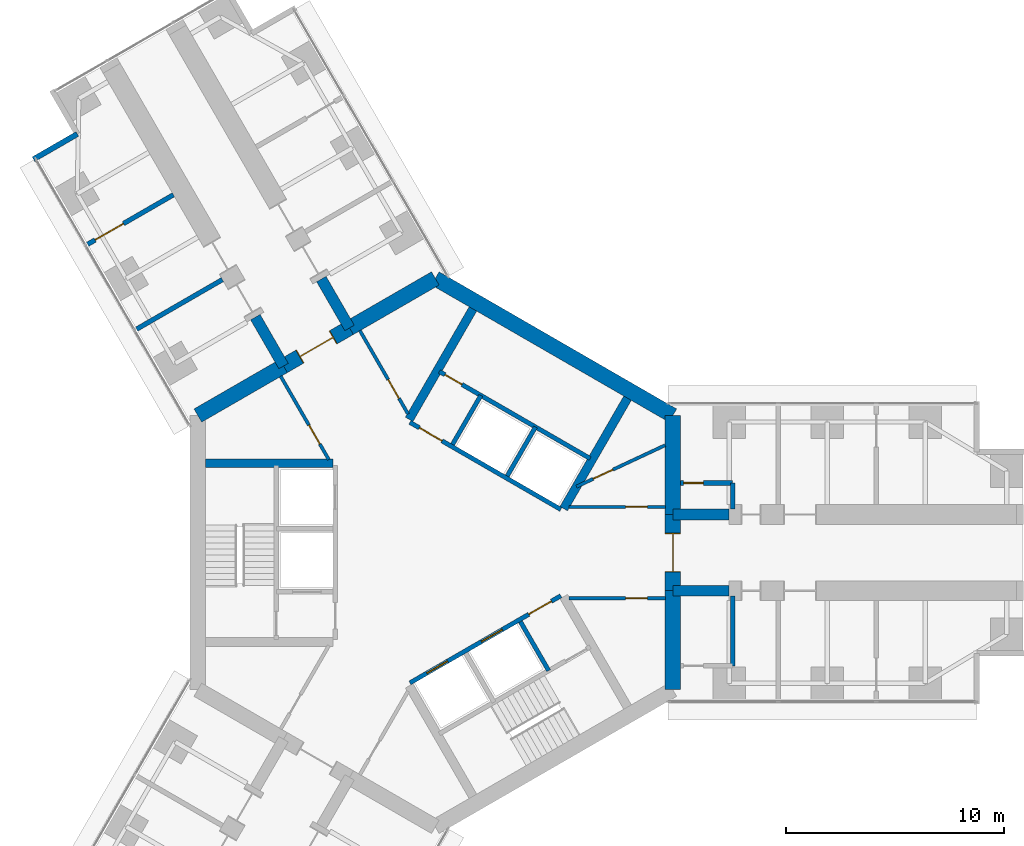
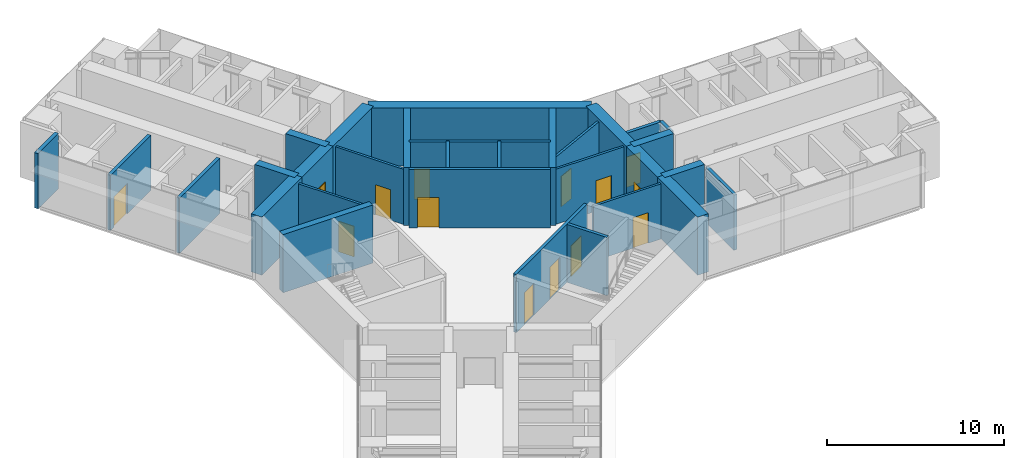
# One storey, part 17 of 22: 31 walls, 14 doors, 14 openings.
"""IFC4 building model written with IfcOpenShell, lengths in metres."""

from ifc_helpers import new_model, si_unit, direction, frame, frame_2d, origin, place, context, subcontext, project, spatial, rectangle, extrude, material, layer, layer_set, type_object, element, fill, save


model = new_model("IFC4")

# Units and contexts
model_context = context("Model", 3, precision=1e-05, world=origin(), true_north=direction((0.0, 1.0)))
body_context = subcontext(model_context, "Body", "Model", "MODEL_VIEW")
ifc_project = project(units=[si_unit("LENGTHUNIT", "METRE"), si_unit("AREAUNIT", "SQUARE_METRE"), si_unit("VOLUMEUNIT", "CUBIC_METRE"), si_unit("PLANEANGLEUNIT", "RADIAN"), si_unit("MASSUNIT", "GRAM", prefix="KILO")], contexts=[model_context])

# Site, building, storey
site_placement = place(None, origin())
site = spatial("IfcSite", under=ifc_project, at=site_placement, CompositionType="ELEMENT")
building_placement = place(site_placement, origin())
building = spatial("IfcBuilding", under=site, at=building_placement, Name="Upepo Twin Towers", CompositionType="ELEMENT")
storey_placement = place(building_placement, frame((0.0, 0.0, 36.5)))
storey = spatial("IfcBuildingStorey", under=building, at=storey_placement, Name="L08", CompositionType="ELEMENT", Elevation=36.5)

# Wall, opening, door
ifc_material_1 = material(Name="Concrete blockwork, plastered both faces", Category="masonry")
ifc_layer_1 = layer(ifc_material_1, 0.215087890625)
ifc_layer_set_1 = layer_set([ifc_layer_1], Name="Blockwork partition 215")
wall_type_1 = type_object("IfcWallType", Name="Blockwork partition 215", PredefinedType="PARTITIONING", material=ifc_layer_set_1)
wall_1_placement = place(storey_placement, frame((11.258056640625, 3.199951171875, 0.0), z_axis=(0.0, 0.0, 1.0), x_axis=(1.0, 0.0, 0.0)))
wall_1 = element("IfcWall", 1, at=wall_1_placement, inside=storey, type_object=wall_type_1, Name="T1 WC bay partition AL at 11.26", PredefinedType="PARTITIONING", context=body_context, shape_type="SweptSolid", body=[
    extrude(rectangle(XDim=2.39990234375, YDim=0.215087890625, at=frame_2d((1.199951171875, 0.0))), origin(), (0.0, 0.0, 1.0), 3.800048828125),
])
opening_1_placement = place(wall_1_placement, frame((0.14990234375, 0.0, 0.0)))
opening_1 = element("IfcOpeningElement", 2, at=opening_1_placement, cuts=wall_1, Name="Opening D14", PredefinedType="OPENING", context=body_context, shape_type="SweptSolid", body=[
    extrude(rectangle(XDim=0.89990234375, YDim=2.10009765625, at=frame_2d((0.449951171875, 1.050048828125))), frame((0.0, 0.117431640625, 0.0), z_axis=(0.0, -1.0, 0.0), x_axis=(1.0, 0.0, 0.0)), (0.0, 0.0, 1.0), 0.235107421875),
])
ifc_material_2 = material(Name="Timber doorset", Category="wood")
door_type_1 = type_object("IfcDoorType", Name="Office door 900 FD30", OperationType="SINGLE_SWING_LEFT", PredefinedType="DOOR", material=ifc_material_2)
door_1_placement = place(opening_1_placement, origin())
door_1 = element("IfcDoor", 3, at=door_1_placement, inside=storey, type_object=door_type_1, Name="T1 L08 WC bay inner room door", OperationType="SINGLE_SWING_LEFT", OverallHeight=2.10009765625, OverallWidth=0.89990234375, PredefinedType="DOOR", context=body_context, shape_type="SweptSolid", body=[
    extrude(rectangle(XDim=0.89990234375, YDim=2.10009765625, at=frame_2d((0.449951171875, 1.050048828125))), frame((0.0, 0.02490234375, 0.0), z_axis=(0.0, -1.0, 0.0), x_axis=(1.0, 0.0, 0.0)), (0.0, 0.0, 1.0), 0.050048828125),
])
fill(opening_1, door_1)

# Walls
wall_2_placement = place(storey_placement, frame((13.657958984375, 2.0, 0.0), z_axis=(0.0, 0.0, 1.0), x_axis=(0.0, 1.0, 0.0)))
element("IfcWall", 4, at=wall_2_placement, inside=storey, type_object=wall_type_1, Name="T1 WC bay partition AL end at 13.66", PredefinedType="PARTITIONING", context=body_context, shape_type="SweptSolid", body=[
    extrude(rectangle(XDim=1.199951171875, YDim=0.215087890625, at=frame_2d((0.60009765625, 0.0))), origin(), (0.0, 0.0, 1.0), 3.800048828125),
])
wall_3_placement = place(storey_placement, frame((13.657958984375, -2.0, 0.0), z_axis=(0.0, 0.0, 1.0), x_axis=(0.0, -1.0, 0.0)))
element("IfcWall", 5, at=wall_3_placement, inside=storey, type_object=wall_type_1, Name="T1 WC bay partition AR end at 13.66", PredefinedType="PARTITIONING", context=body_context, shape_type="SweptSolid", body=[
    extrude(rectangle(XDim=3.199951171875, YDim=0.215087890625, at=frame_2d((1.60009765625, 0.0))), origin(), (0.0, 0.0, 1.0), 3.800048828125),
])
wall_4_placement = place(storey_placement, frame((-9.7802734375, 12.539794921875, 0.0), z_axis=(0.0, 0.0, 1.0), x_axis=(-0.866035472144, -0.499982560684, 0.0)))
element("IfcWall", 6, at=wall_4_placement, inside=storey, type_object=wall_type_1, Name="T1 partition BL at 15.75", PredefinedType="PARTITIONING", context=body_context, shape_type="SweptSolid", body=[
    extrude(rectangle(XDim=4.550048828125, YDim=0.215087890625, at=frame_2d((2.27490234375, 0.0))), origin(), (0.0, 0.0, 1.0), 3.800048828125),
])

# Wall, opening, door
wall_5_placement = place(storey_placement, frame((-12.0302734375, 16.43701171875, 0.0), z_axis=(0.0, 0.0, 1.0), x_axis=(-0.866035472144, -0.499982560684, 0.0)))
wall_5 = element("IfcWall", 7, at=wall_5_placement, inside=storey, type_object=wall_type_1, Name="T1 partition BL at 20.25", PredefinedType="PARTITIONING", context=body_context, shape_type="SweptSolid", body=[
    extrude(rectangle(XDim=4.550048828125, YDim=0.215087890625, at=frame_2d((2.27490234375, 0.0))), origin(), (0.0, 0.0, 1.0), 3.800048828125),
])
opening_2_placement = place(wall_5_placement, frame((2.64990234375, 0.0, 0.0)))
opening_2 = element("IfcOpeningElement", 8, at=opening_2_placement, cuts=wall_5, Name="Opening D13", PredefinedType="OPENING", context=body_context, shape_type="SweptSolid", body=[
    extrude(rectangle(XDim=1.5, YDim=2.10009765625, at=frame_2d((0.75, 1.050048828125))), frame((0.0, 0.117431640625, 0.0), z_axis=(0.0, -1.0, 0.0), x_axis=(1.0, 0.0, 0.0)), (0.0, 0.0, 1.0), 0.235107421875),
])
ifc_material_3 = material(Name="Timber doorset", Category="wood")
door_type_2 = type_object("IfcDoorType", Name="Double door 1500 FD30", OperationType="DOUBLE_DOOR_SINGLE_SWING", PredefinedType="DOOR", material=ifc_material_3)
door_2_placement = place(opening_2_placement, origin())
door_2 = element("IfcDoor", 9, at=door_2_placement, inside=storey, type_object=door_type_2, Name="T1 L08 connecting door", OperationType="DOUBLE_DOOR_SINGLE_SWING", OverallHeight=2.10009765625, OverallWidth=1.5, PredefinedType="DOOR", context=body_context, shape_type="SweptSolid", body=[
    extrude(rectangle(XDim=1.5, YDim=2.10009765625, at=frame_2d((0.75, 1.050048828125))), frame((0.0, 0.02490234375, 0.0), z_axis=(0.0, -1.0, 0.0), x_axis=(1.0, 0.0, 0.0)), (0.0, 0.0, 1.0), 0.050048828125),
])
fill(opening_2, door_2)

# Walls
ifc_material_4 = material(Name="Concrete C60/75", Category="concrete")
ifc_layer_2 = layer(ifc_material_4, 0.5)
ifc_layer_set_2 = layer_set([ifc_layer_2], Name="Concrete C60/75")
wall_type_2 = type_object("IfcWallType", Name="Buttress wall 500 RC", PredefinedType="SHEAR", material=ifc_layer_set_2)
for number, where, z_axis, x_axis, name in (
    (10, (10.908447265625, 1.75, 0.0), (0.0, 0.0, 1.0), (1.0, 0.0, 0.0), "T1 wing A buttress wall L"),
    (11, (10.908447265625, -1.75, 0.0), (0.0, 0.0, 1.0), (1.0, 0.0, 0.0), "T1 wing A buttress wall R"),
):
    element("IfcWall", number, at=place(storey_placement, frame(where, z_axis=z_axis, x_axis=x_axis)), inside=storey, type_object=wall_type_2, Name=name, PredefinedType="SHEAR", context=body_context, shape_type="SweptSolid", body=[
        extrude(rectangle(XDim=2.591552734375, YDim=0.5, at=frame_2d((1.2958984375, 0.0))), origin(), (0.0, 0.0, 1.0), 4.0),
    ])
for number, where, z_axis, x_axis, name in (
    (12, (-6.9697265625, 8.57177734375, 0.0), (0.0, 0.0, 1.0), (-0.499988811324, 0.866031863473, 0.0), "T1 wing B buttress wall L"),
    (13, (-3.938720703125, 10.32177734375, 0.0), (0.0, 0.0, 1.0), (-0.499918158782, 0.866072649678, 0.0), "T1 wing B buttress wall R"),
):
    element("IfcWall", number, at=place(storey_placement, frame(where, z_axis=z_axis, x_axis=x_axis)), inside=storey, type_object=wall_type_2, Name=name, PredefinedType="SHEAR", context=body_context, shape_type="SweptSolid", body=[
        extrude(rectangle(XDim=2.591796875, YDim=0.5, at=frame_2d((1.2958984375, 0.0))), origin(), (0.0, 0.0, 1.0), 4.0),
    ])
ifc_material_5 = material(Name="Concrete C60/75", Category="concrete")
ifc_layer_3 = layer(ifc_material_5, 0.699951171875)
ifc_layer_set_3 = layer_set([ifc_layer_3], Name="Concrete C60/75")
wall_type_3 = type_object("IfcWallType", Name="Core wall 700 RC", PredefinedType="SHEAR", material=ifc_layer_set_3)
wall_6_placement = place(storey_placement, frame((10.908447265625, -6.2978515625, 0.0), z_axis=(0.0, 0.0, 1.0), x_axis=(0.0, 1.0, 0.0)))
element("IfcWall", 14, at=wall_6_placement, inside=storey, type_object=wall_type_3, Name="T1 core wall 000 R", PredefinedType="SHEAR", context=body_context, shape_type="SweptSolid", body=[
    extrude(rectangle(XDim=4.5478515625, YDim=0.699951171875, at=frame_2d((2.27392578125, 0.0))), origin(), (0.0, 0.0, 1.0), 4.0),
])

# Wall, opening, door
wall_7_placement = place(storey_placement, frame((10.908447265625, -1.75, 0.0), z_axis=(0.0, 0.0, 1.0), x_axis=(0.0, 1.0, 0.0)))
wall_7 = element("IfcWall", 15, at=wall_7_placement, inside=storey, type_object=wall_type_3, Name="T1 core wall 000", PredefinedType="SHEAR", context=body_context, shape_type="SweptSolid", body=[
    extrude(rectangle(XDim=3.5, YDim=0.699951171875, at=frame_2d((1.75, 0.0))), origin(), (0.0, 0.0, 1.0), 4.0),
])
opening_3_placement = place(wall_7_placement, frame((0.85009765625, 0.0, 0.0)))
opening_3 = element("IfcOpeningElement", 16, at=opening_3_placement, cuts=wall_7, Name="Opening D2", PredefinedType="OPENING", context=body_context, shape_type="SweptSolid", body=[
    extrude(rectangle(XDim=1.800048828125, YDim=2.10009765625, at=frame_2d((0.89990234375, 1.050048828125))), frame((0.0, 0.35986328125, 0.0), z_axis=(0.0, -1.0, 0.0), x_axis=(1.0, 0.0, 0.0)), (0.0, 0.0, 1.0), 0.719970703125),
])
ifc_material_6 = material(Name="Timber doorset", Category="wood")
door_type_3 = type_object("IfcDoorType", Name="Corridor double door 1800 FD60", OperationType="DOUBLE_DOOR_DOUBLE_SWING", PredefinedType="DOOR", material=ifc_material_6)
door_3_placement = place(opening_3_placement, origin())
door_3 = element("IfcDoor", 17, at=door_3_placement, inside=storey, type_object=door_type_3, Name="T1 L08 wing A corridor door", OperationType="DOUBLE_DOOR_DOUBLE_SWING", OverallHeight=2.10009765625, OverallWidth=1.800048828125, PredefinedType="DOOR", context=body_context, shape_type="SweptSolid", body=[
    extrude(rectangle(XDim=1.720048828125, YDim=2.06009765625, at=frame_2d((0.89990234375, 1.030029296875))), frame((0.0, 0.02490234375, 0.0), z_axis=(0.0, -1.0, 0.0), x_axis=(1.0, 0.0, 0.0)), (0.0, 0.0, 1.0), 0.050048828125),
    extrude(rectangle(XDim=0.04, YDim=2.10009765625, at=frame_2d((0.02001953125, 1.050048828125))), frame((0.0, 0.349609375, 0.0), z_axis=(0.0, -1.0, 0.0), x_axis=(1.0, 0.0, 0.0)), (0.0, 0.0, 1.0), 0.699462890625),
    extrude(rectangle(XDim=0.04, YDim=2.10009765625, at=frame_2d((1.780029296875, 1.050048828125))), frame((0.0, 0.349609375, 0.0), z_axis=(0.0, -1.0, 0.0), x_axis=(1.0, 0.0, 0.0)), (0.0, 0.0, 1.0), 0.699462890625),
    extrude(rectangle(XDim=1.720048828125, YDim=0.04, at=frame_2d((0.89990234375, 2.080078125))), frame((0.0, 0.349609375, 0.0), z_axis=(0.0, -1.0, 0.0), x_axis=(1.0, 0.0, 0.0)), (0.0, 0.0, 1.0), 0.699462890625),
])
fill(opening_3, door_3)

# Walls
wall_8_placement = place(storey_placement, frame((10.908447265625, 1.75, 0.0), z_axis=(0.0, 0.0, 1.0), x_axis=(0.0, 1.0, 0.0)))
element("IfcWall", 18, at=wall_8_placement, inside=storey, type_object=wall_type_3, Name="T1 core wall 000 L", PredefinedType="SHEAR", context=body_context, shape_type="SweptSolid", body=[
    extrude(rectangle(XDim=4.5478515625, YDim=0.699951171875, at=frame_2d((2.27392578125, 0.0))), origin(), (0.0, 0.0, 1.0), 4.0),
])
wall_9_placement = place(storey_placement, frame((10.908447265625, 6.2978515625, 0.0), z_axis=(0.0, 0.0, 1.0), x_axis=(-0.866021940709, 0.500005998175, 0.0)))
element("IfcWall", 19, at=wall_9_placement, inside=storey, type_object=wall_type_3, Name="T1 core wall 060", PredefinedType="SHEAR", context=body_context, shape_type="SweptSolid", body=[
    extrude(rectangle(XDim=12.595947265625, YDim=0.699951171875, at=frame_2d((6.2978515625, 0.0))), origin(), (0.0, 0.0, 1.0), 4.0),
])
wall_10_placement = place(storey_placement, frame((0.0, 12.595947265625, 0.0), z_axis=(0.0, 0.0, 1.0), x_axis=(-0.866011268655, -0.500024481964, 0.0)))
element("IfcWall", 20, at=wall_10_placement, inside=storey, type_object=wall_type_3, Name="T1 core wall 120 R", PredefinedType="SHEAR", context=body_context, shape_type="SweptSolid", body=[
    extrude(rectangle(XDim=4.548095703125, YDim=0.699951171875, at=frame_2d((2.27392578125, 0.0))), origin(), (0.0, 0.0, 1.0), 4.0),
])

# Wall, opening, door
wall_11_placement = place(storey_placement, frame((-3.938720703125, 10.32177734375, 0.0), z_axis=(0.0, 0.0, 1.0), x_axis=(-0.866019471182, -0.500010275428, 0.0)))
wall_11 = element("IfcWall", 21, at=wall_11_placement, inside=storey, type_object=wall_type_3, Name="T1 core wall 120", PredefinedType="SHEAR", context=body_context, shape_type="SweptSolid", body=[
    extrude(rectangle(XDim=3.5, YDim=0.699951171875, at=frame_2d((1.75, 0.0))), origin(), (0.0, 0.0, 1.0), 4.0),
])
opening_4_placement = place(wall_11_placement, frame((0.85009765625, 0.0, 0.0)))
opening_4 = element("IfcOpeningElement", 22, at=opening_4_placement, cuts=wall_11, Name="Opening D2", PredefinedType="OPENING", context=body_context, shape_type="SweptSolid", body=[
    extrude(rectangle(XDim=1.800048828125, YDim=2.10009765625, at=frame_2d((0.89990234375, 1.050048828125))), frame((0.0, 0.35986328125, 0.0), z_axis=(0.0, -1.0, 0.0), x_axis=(1.0, 0.0, 0.0)), (0.0, 0.0, 1.0), 0.719970703125),
])
door_4_placement = place(opening_4_placement, origin())
door_4 = element("IfcDoor", 23, at=door_4_placement, inside=storey, type_object=door_type_3, Name="T1 L08 wing B corridor door", OperationType="DOUBLE_DOOR_DOUBLE_SWING", OverallHeight=2.10009765625, OverallWidth=1.800048828125, PredefinedType="DOOR", context=body_context, shape_type="SweptSolid", body=[
    extrude(rectangle(XDim=1.720048828125, YDim=2.06009765625, at=frame_2d((0.89990234375, 1.030029296875))), frame((0.0, 0.02490234375, 0.0), z_axis=(0.0, -1.0, 0.0), x_axis=(1.0, 0.0, 0.0)), (0.0, 0.0, 1.0), 0.050048828125),
    extrude(rectangle(XDim=0.04, YDim=2.10009765625, at=frame_2d((0.02001953125, 1.050048828125))), frame((0.0, 0.349609375, 0.0), z_axis=(0.0, -1.0, 0.0), x_axis=(1.0, 0.0, 0.0)), (0.0, 0.0, 1.0), 0.699462890625),
    extrude(rectangle(XDim=0.04, YDim=2.10009765625, at=frame_2d((1.780029296875, 1.050048828125))), frame((0.0, 0.349609375, 0.0), z_axis=(0.0, -1.0, 0.0), x_axis=(1.0, 0.0, 0.0)), (0.0, 0.0, 1.0), 0.699462890625),
    extrude(rectangle(XDim=1.720048828125, YDim=0.04, at=frame_2d((0.89990234375, 2.080078125))), frame((0.0, 0.349609375, 0.0), z_axis=(0.0, -1.0, 0.0), x_axis=(1.0, 0.0, 0.0)), (0.0, 0.0, 1.0), 0.699462890625),
])
fill(opening_4, door_4)

# Walls
wall_12_placement = place(storey_placement, frame((-6.9697265625, 8.57177734375, 0.0), z_axis=(0.0, 0.0, 1.0), x_axis=(-0.866034513004, -0.499984222037, 0.0)))
element("IfcWall", 24, at=wall_12_placement, inside=storey, type_object=wall_type_3, Name="T1 core wall 120 L", PredefinedType="SHEAR", context=body_context, shape_type="SweptSolid", body=[
    extrude(rectangle(XDim=4.548095703125, YDim=0.699951171875, at=frame_2d((2.27392578125, 0.0))), origin(), (0.0, 0.0, 1.0), 4.0),
])
ifc_material_7 = material(Name="Blockwork with anodised aluminium cladding", Category="masonry")
ifc_layer_4 = layer(ifc_material_7, 0.25)
ifc_layer_set_4 = layer_set([ifc_layer_4], Name="Notch cladding wall 250, pale metal")
wall_type_4 = type_object("IfcWallType", Name="Notch cladding wall 250, pale metal", PredefinedType="STANDARD", material=ifc_layer_set_4)
wall_13_placement = place(storey_placement, frame((-18.456298828125, 18.0673828125, 0.0), z_axis=(0.0, 0.0, 1.0), x_axis=(0.865998469481, 0.500046648681, 0.0)))
element("IfcWall", 25, at=wall_13_placement, inside=storey, type_object=wall_type_4, Name="T1 L08 wing B notch wall L1", PredefinedType="STANDARD", context=body_context, shape_type="SweptSolid", body=[
    extrude(rectangle(XDim=2.324951171875, YDim=0.25, at=frame_2d((1.16259765625, 0.0))), origin(), (0.0, 0.0, 1.0), 3.800048828125),
])

# Wall, opening, door
ifc_material_8 = material(Name="Concrete C40/50", Category="concrete")
ifc_layer_5 = layer(ifc_material_8, 0.199951171875)
ifc_layer_set_5 = layer_set([ifc_layer_5], Name="Concrete C40/50")
wall_type_5 = type_object("IfcWallType", Name="Shaft wall 200 RC", PredefinedType="SHEAR", material=ifc_layer_set_5)
wall_14_placement = place(storey_placement, frame((5.76416015625, 1.983642578125, 0.0), z_axis=(0.0, 0.0, 1.0), x_axis=(-0.866026010844, 0.49999894854, 0.0)))
wall_14 = element("IfcWall", 26, at=wall_14_placement, inside=storey, type_object=wall_type_5, Name="T1 core W60 front wall", PredefinedType="SHEAR", context=body_context, shape_type="SweptSolid", body=[
    extrude(rectangle(XDim=8.0, YDim=0.199951171875, at=frame_2d((4.0, 0.0))), origin(), (0.0, 0.0, 1.0), 4.0),
])
opening_5_placement = place(wall_14_placement, frame((6.300048828125, 0.0, 0.0)))
opening_5 = element("IfcOpeningElement", 27, at=opening_5_placement, cuts=wall_14, Name="Opening D4", PredefinedType="OPENING", context=body_context, shape_type="SweptSolid", body=[
    extrude(rectangle(XDim=1.199951171875, YDim=2.10009765625, at=frame_2d((0.60009765625, 1.050048828125))), frame((0.0, 0.10986328125, 0.0), z_axis=(0.0, -1.0, 0.0), x_axis=(1.0, 0.0, 0.0)), (0.0, 0.0, 1.0), 0.219970703125),
])
ifc_material_9 = material(Name="Timber doorset", Category="wood")
door_type_4 = type_object("IfcDoorType", Name="Lobby door 1200 FD60", OperationType="SINGLE_SWING_LEFT", PredefinedType="DOOR", material=ifc_material_9)
door_5_placement = place(opening_5_placement, origin())
door_5 = element("IfcDoor", 28, at=door_5_placement, inside=storey, type_object=door_type_4, Name="T1 L08 W60 lobby door", OperationType="SINGLE_SWING_RIGHT", OverallHeight=2.10009765625, OverallWidth=1.199951171875, PredefinedType="DOOR", context=body_context, shape_type="SweptSolid", body=[
    extrude(rectangle(XDim=1.199951171875, YDim=2.10009765625, at=frame_2d((0.60009765625, 1.050048828125))), frame((0.0, 0.02490234375, 0.0), z_axis=(0.0, -1.0, 0.0), x_axis=(1.0, 0.0, 0.0)), (0.0, 0.0, 1.0), 0.050048828125),
])
fill(opening_5, door_5)

# Walls
for number, where, z_axis, x_axis, name in (
    (29, (3.302734375, 3.520263671875, 0.0), (0.0, 0.0, 1.0), (0.499936506574, 0.866062058628, 0.0), "T1 core W60 shaft divider"),
    (30, (0.791259765625, 4.97021484375, 0.0), (0.0, 0.0, 1.0), (0.499936506574, 0.866062058628, 0.0), "T1 core W60 lobby wall"),
):
    element("IfcWall", number, at=place(storey_placement, frame(where, z_axis=z_axis, x_axis=x_axis)), inside=storey, type_object=wall_type_5, Name=name, PredefinedType="SHEAR", context=body_context, shape_type="SweptSolid", body=[
        extrude(rectangle(XDim=2.599853515625, YDim=0.199951171875, at=frame_2d((1.2998046875, 0.0))), origin(), (0.0, 0.0, 1.0), 4.0),
    ])

# Wall, opening, door
wall_15_placement = place(storey_placement, frame((7.114013671875, 4.322021484375, 0.0), z_axis=(0.0, 0.0, 1.0), x_axis=(-0.866026010844, 0.49999894854, 0.0)))
wall_15 = element("IfcWall", 31, at=wall_15_placement, inside=storey, type_object=wall_type_5, Name="T1 core W60 stair wall", PredefinedType="SHEAR", context=body_context, shape_type="SweptSolid", body=[
    extrude(rectangle(XDim=8.0, YDim=0.199951171875, at=frame_2d((4.0, 0.0))), origin(), (0.0, 0.0, 1.0), 4.0),
])
opening_6_placement = place(wall_15_placement, frame((6.800048828125, 0.0, 0.0)))
opening_6 = element("IfcOpeningElement", 32, at=opening_6_placement, cuts=wall_15, Name="Opening D9", PredefinedType="OPENING", context=body_context, shape_type="SweptSolid", body=[
    extrude(rectangle(XDim=0.89990234375, YDim=2.10009765625, at=frame_2d((0.449951171875, 1.050048828125))), frame((0.0, 0.10986328125, 0.0), z_axis=(0.0, -1.0, 0.0), x_axis=(1.0, 0.0, 0.0)), (0.0, 0.0, 1.0), 0.219970703125),
])
ifc_material_10 = material(Name="Timber doorset", Category="wood")
door_type_5 = type_object("IfcDoorType", Name="Riser door 900 FD60", OperationType="SINGLE_SWING_LEFT", PredefinedType="DOOR", material=ifc_material_10)
door_6_placement = place(opening_6_placement, origin())
door_6 = element("IfcDoor", 33, at=door_6_placement, inside=storey, type_object=door_type_5, Name="T1 L08 riser door", OperationType="SINGLE_SWING_RIGHT", OverallHeight=2.10009765625, OverallWidth=0.89990234375, PredefinedType="DOOR", context=body_context, shape_type="SweptSolid", body=[
    extrude(rectangle(XDim=0.89990234375, YDim=2.10009765625, at=frame_2d((0.449951171875, 1.050048828125))), frame((0.0, 0.02490234375, 0.0), z_axis=(0.0, -1.0, 0.0), x_axis=(1.0, 0.0, 0.0)), (0.0, 0.0, 1.0), 0.050048828125),
])
fill(opening_6, door_6)

# Wall, openings, doors
wall_16_placement = place(storey_placement, frame((-1.1640625, -5.983642578125, 0.0), z_axis=(0.0, 0.0, 1.0), x_axis=(0.866026010844, 0.49999894854, 0.0)))
wall_16 = element("IfcWall", 34, at=wall_16_placement, inside=storey, type_object=wall_type_5, Name="T1 core W300 front wall", PredefinedType="SHEAR", context=body_context, shape_type="SweptSolid", body=[
    extrude(rectangle(XDim=8.0, YDim=0.199951171875, at=frame_2d((4.0, 0.0))), origin(), (0.0, 0.0, 1.0), 4.0),
])
opening_7_placement = place(wall_16_placement, frame((6.300048828125, 0.0, 0.0)))
opening_7 = element("IfcOpeningElement", 35, at=opening_7_placement, cuts=wall_16, Name="Opening D4", PredefinedType="OPENING", context=body_context, shape_type="SweptSolid", body=[
    extrude(rectangle(XDim=1.199951171875, YDim=2.10009765625, at=frame_2d((0.60009765625, 1.050048828125))), frame((0.0, 0.10986328125, 0.0), z_axis=(0.0, -1.0, 0.0), x_axis=(1.0, 0.0, 0.0)), (0.0, 0.0, 1.0), 0.219970703125),
])
opening_8_placement = place(wall_16_placement, frame((0.89990234375, 0.0, 0.0)))
opening_8 = element("IfcOpeningElement", 36, at=opening_8_placement, cuts=wall_16, Name="Opening LD1", PredefinedType="OPENING", context=body_context, shape_type="SweptSolid", body=[
    extrude(rectangle(XDim=1.10009765625, YDim=2.199951171875, at=frame_2d((0.550048828125, 1.10009765625))), frame((0.0, 0.10986328125, 0.0), z_axis=(0.0, -1.0, 0.0), x_axis=(1.0, 0.0, 0.0)), (0.0, 0.0, 1.0), 0.219970703125),
])
opening_9_placement = place(wall_16_placement, frame((3.800048828125, 0.0, 0.0)))
opening_9 = element("IfcOpeningElement", 37, at=opening_9_placement, cuts=wall_16, Name="Opening LD1", PredefinedType="OPENING", context=body_context, shape_type="SweptSolid", body=[
    extrude(rectangle(XDim=1.10009765625, YDim=2.199951171875, at=frame_2d((0.550048828125, 1.10009765625))), frame((0.0, 0.10986328125, 0.0), z_axis=(0.0, -1.0, 0.0), x_axis=(1.0, 0.0, 0.0)), (0.0, 0.0, 1.0), 0.219970703125),
])
ifc_material_11 = material(Name="Steel doorset", Category="steel")
door_type_6 = type_object("IfcDoorType", Name="Lift landing door 1100", OperationType="DOUBLE_DOOR_SLIDING", PredefinedType="DOOR", material=ifc_material_11)
door_7_placement = place(opening_8_placement, origin())
door_7 = element("IfcDoor", 38, at=door_7_placement, inside=storey, type_object=door_type_6, Name="T1 L08 lift LL1 landing door", OperationType="DOUBLE_DOOR_SLIDING", OverallHeight=2.199951171875, OverallWidth=1.10009765625, PredefinedType="DOOR", context=body_context, shape_type="SweptSolid", body=[
    extrude(rectangle(XDim=1.10009765625, YDim=2.199951171875, at=frame_2d((0.550048828125, 1.10009765625))), frame((0.0, 0.02490234375, 0.0), z_axis=(0.0, -1.0, 0.0), x_axis=(1.0, 0.0, 0.0)), (0.0, 0.0, 1.0), 0.050048828125),
])
fill(opening_8, door_7)
door_8_placement = place(opening_9_placement, origin())
door_8 = element("IfcDoor", 39, at=door_8_placement, inside=storey, type_object=door_type_6, Name="T1 L08 lift LL2 landing door", OperationType="DOUBLE_DOOR_SLIDING", OverallHeight=2.199951171875, OverallWidth=1.10009765625, PredefinedType="DOOR", context=body_context, shape_type="SweptSolid", body=[
    extrude(rectangle(XDim=1.10009765625, YDim=2.199951171875, at=frame_2d((0.550048828125, 1.10009765625))), frame((0.0, 0.02490234375, 0.0), z_axis=(0.0, -1.0, 0.0), x_axis=(1.0, 0.0, 0.0)), (0.0, 0.0, 1.0), 0.050048828125),
])
fill(opening_9, door_8)
door_9_placement = place(opening_7_placement, origin())
door_9 = element("IfcDoor", 40, at=door_9_placement, inside=storey, type_object=door_type_4, Name="T1 L08 W300 lobby door", OperationType="SINGLE_SWING_RIGHT", OverallHeight=2.10009765625, OverallWidth=1.199951171875, PredefinedType="DOOR", context=body_context, shape_type="SweptSolid", body=[
    extrude(rectangle(XDim=1.199951171875, YDim=2.10009765625, at=frame_2d((0.60009765625, 1.050048828125))), frame((0.0, 0.02490234375, 0.0), z_axis=(0.0, -1.0, 0.0), x_axis=(1.0, 0.0, 0.0)), (0.0, 0.0, 1.0), 0.050048828125),
])
fill(opening_7, door_9)

# Walls
wall_17_placement = place(storey_placement, frame((3.908935546875, -3.17041015625, 0.0), z_axis=(0.0, 0.0, 1.0), x_axis=(0.49997716683, -0.86603858612, 0.0)))
element("IfcWall", 41, at=wall_17_placement, inside=storey, type_object=wall_type_5, Name="T1 core W300 lobby wall", PredefinedType="SHEAR", context=body_context, shape_type="SweptSolid", body=[
    extrude(rectangle(XDim=2.599609375, YDim=0.199951171875, at=frame_2d((1.2998046875, 0.0))), origin(), (0.0, 0.0, 1.0), 4.0),
])
ifc_material_12 = material(Name="Concrete C40/50", Category="concrete")
ifc_layer_6 = layer(ifc_material_12, 0.39990234375)
ifc_layer_set_6 = layer_set([ifc_layer_6], Name="Concrete C40/50")
wall_type_6 = type_object("IfcWallType", Name="Shaft wall 400 RC", PredefinedType="SHEAR", material=ifc_layer_set_6)
for number, where, z_axis, x_axis, name in (
    (42, (-1.20068359375, 6.120361328125, 0.0), (0.0, 0.0, 1.0), (0.500002627198, 0.866023886965, 0.0), "T1 core W60 side wall N"),
    (43, (5.900634765625, 2.020263671875, 0.0), (0.0, 0.0, 1.0), (0.500002627198, 0.866023886965, 0.0), "T1 core W60 side wall S"),
    (44, (-4.699951171875, 4.10009765625, 0.0), (0.0, 0.0, 1.0), (-1.0, 0.0, 0.0), "T1 core W180 side wall S"),
):
    element("IfcWall", number, at=place(storey_placement, frame(where, z_axis=z_axis, x_axis=x_axis)), inside=storey, type_object=wall_type_6, Name=name, PredefinedType="SHEAR", context=body_context, shape_type="SweptSolid", body=[
        extrude(rectangle(XDim=5.8583984375, YDim=0.39990234375, at=frame_2d((2.92919921875, 0.0))), origin(), (0.0, 0.0, 1.0), 4.0),
    ])

# Wall, opening, door
ifc_material_13 = material(Name="Gypsum board on steel studs", Category="steel")
ifc_layer_7 = layer(ifc_material_13, 0.14990234375)
ifc_layer_set_7 = layer_set([ifc_layer_7], Name="Teaching partition 150 acoustic")
wall_type_7 = type_object("IfcWallType", Name="Teaching partition 150 acoustic", PredefinedType="PARTITIONING", material=ifc_layer_set_7)
wall_18_placement = place(storey_placement, frame((-4.889892578125, 4.269775390625, 0.0), z_axis=(0.0, 0.0, 1.0), x_axis=(-0.500007369519, 0.866021148949, 0.0)))
wall_18 = element("IfcWall", 45, at=wall_18_placement, inside=storey, type_object=wall_type_7, Name="T1 core room partition 3", PredefinedType="PARTITIONING", context=body_context, shape_type="SweptSolid", body=[
    extrude(rectangle(XDim=4.42578125, YDim=0.14990234375, at=frame_2d((2.212890625, 0.0))), origin(), (0.0, 0.0, 1.0), 3.800048828125),
])
opening_10_placement = place(wall_18_placement, frame((0.82763671875, 0.0, 0.0)))
opening_10 = element("IfcOpeningElement", 46, at=opening_10_placement, cuts=wall_18, Name="Opening D1", PredefinedType="OPENING", context=body_context, shape_type="SweptSolid", body=[
    extrude(rectangle(XDim=1.0, YDim=2.10009765625, at=frame_2d((0.5, 1.050048828125))), frame((0.0, 0.0849609375, 0.0), z_axis=(0.0, -1.0, 0.0), x_axis=(1.0, 0.0, 0.0)), (0.0, 0.0, 1.0), 0.169921875),
])
ifc_material_14 = material(Name="Timber doorset", Category="wood")
door_type_7 = type_object("IfcDoorType", Name="Room door 1000 FD30", OperationType="SINGLE_SWING_LEFT", PredefinedType="DOOR", material=ifc_material_14)
door_10_placement = place(opening_10_placement, origin())
door_10 = element("IfcDoor", 47, at=door_10_placement, inside=storey, type_object=door_type_7, Name="T1 L08 core room door K7", OperationType="SINGLE_SWING_LEFT", OverallHeight=2.10009765625, OverallWidth=1.0, PredefinedType="DOOR", context=body_context, shape_type="SweptSolid", body=[
    extrude(rectangle(XDim=1.0, YDim=2.10009765625, at=frame_2d((0.5, 1.050048828125))), frame((0.0, 0.02490234375, 0.0), z_axis=(0.0, -1.0, 0.0), x_axis=(1.0, 0.0, 0.0)), (0.0, 0.0, 1.0), 0.050048828125),
])
fill(opening_10, door_10)

wall_19_placement = place(storey_placement, frame((-3.465576171875, 10.202392578125, 0.0), z_axis=(0.0, 0.0, 1.0), x_axis=(0.500007369519, -0.866021148949, 0.0)))
wall_19 = element("IfcWall", 48, at=wall_19_placement, inside=storey, type_object=wall_type_7, Name="T1 core room partition 4", PredefinedType="PARTITIONING", context=body_context, shape_type="SweptSolid", body=[
    extrude(rectangle(XDim=4.42578125, YDim=0.14990234375, at=frame_2d((2.212890625, 0.0))), origin(), (0.0, 0.0, 1.0), 3.800048828125),
])
opening_11_placement = place(wall_19_placement, frame((2.597900390625, 0.0, 0.0)))
opening_11 = element("IfcOpeningElement", 49, at=opening_11_placement, cuts=wall_19, Name="Opening D1", PredefinedType="OPENING", context=body_context, shape_type="SweptSolid", body=[
    extrude(rectangle(XDim=1.0, YDim=2.10009765625, at=frame_2d((0.5, 1.050048828125))), frame((0.0, 0.0849609375, 0.0), z_axis=(0.0, -1.0, 0.0), x_axis=(1.0, 0.0, 0.0)), (0.0, 0.0, 1.0), 0.169921875),
])
door_11_placement = place(opening_11_placement, origin())
door_11 = element("IfcDoor", 50, at=door_11_placement, inside=storey, type_object=door_type_7, Name="T1 L08 core room door K6", OperationType="SINGLE_SWING_RIGHT", OverallHeight=2.10009765625, OverallWidth=1.0, PredefinedType="DOOR", context=body_context, shape_type="SweptSolid", body=[
    extrude(rectangle(XDim=1.0, YDim=2.10009765625, at=frame_2d((0.5, 1.050048828125))), frame((0.0, 0.02490234375, 0.0), z_axis=(0.0, -1.0, 0.0), x_axis=(1.0, 0.0, 0.0)), (0.0, 0.0, 1.0), 0.050048828125),
])
fill(opening_11, door_11)

wall_20_placement = place(storey_placement, frame((6.142578125, 2.10009765625, 0.0), z_axis=(0.0, 0.0, 1.0), x_axis=(1.0, 0.0, 0.0)))
wall_20 = element("IfcWall", 51, at=wall_20_placement, inside=storey, type_object=wall_type_7, Name="T1 core room partition 5", PredefinedType="PARTITIONING", context=body_context, shape_type="SweptSolid", body=[
    extrude(rectangle(XDim=4.42578125, YDim=0.14990234375, at=frame_2d((2.212890625, 0.0))), origin(), (0.0, 0.0, 1.0), 3.800048828125),
])
opening_12_placement = place(wall_20_placement, frame((2.597900390625, 0.0, 0.0)))
opening_12 = element("IfcOpeningElement", 52, at=opening_12_placement, cuts=wall_20, Name="Opening D1", PredefinedType="OPENING", context=body_context, shape_type="SweptSolid", body=[
    extrude(rectangle(XDim=1.0, YDim=2.10009765625, at=frame_2d((0.5, 1.050048828125))), frame((0.0, 0.0849609375, 0.0), z_axis=(0.0, -1.0, 0.0), x_axis=(1.0, 0.0, 0.0)), (0.0, 0.0, 1.0), 0.169921875),
])
door_12_placement = place(opening_12_placement, origin())
door_12 = element("IfcDoor", 53, at=door_12_placement, inside=storey, type_object=door_type_7, Name="T1 L08 core room door K4", OperationType="SINGLE_SWING_RIGHT", OverallHeight=2.10009765625, OverallWidth=1.0, PredefinedType="DOOR", context=body_context, shape_type="SweptSolid", body=[
    extrude(rectangle(XDim=1.0, YDim=2.10009765625, at=frame_2d((0.5, 1.050048828125))), frame((0.0, 0.02490234375, 0.0), z_axis=(0.0, -1.0, 0.0), x_axis=(1.0, 0.0, 0.0)), (0.0, 0.0, 1.0), 0.050048828125),
])
fill(opening_12, door_12)

wall_21_placement = place(storey_placement, frame((10.568359375, -2.10009765625, 0.0), z_axis=(0.0, 0.0, 1.0), x_axis=(-1.0, 0.0, 0.0)))
wall_21 = element("IfcWall", 54, at=wall_21_placement, inside=storey, type_object=wall_type_7, Name="T1 core room partition 6", PredefinedType="PARTITIONING", context=body_context, shape_type="SweptSolid", body=[
    extrude(rectangle(XDim=4.42578125, YDim=0.14990234375, at=frame_2d((2.212890625, 0.0))), origin(), (0.0, 0.0, 1.0), 3.800048828125),
])
opening_13_placement = place(wall_21_placement, frame((0.82763671875, 0.0, 0.0)))
opening_13 = element("IfcOpeningElement", 55, at=opening_13_placement, cuts=wall_21, Name="Opening D1", PredefinedType="OPENING", context=body_context, shape_type="SweptSolid", body=[
    extrude(rectangle(XDim=1.0, YDim=2.10009765625, at=frame_2d((0.5, 1.050048828125))), frame((0.0, 0.0849609375, 0.0), z_axis=(0.0, -1.0, 0.0), x_axis=(1.0, 0.0, 0.0)), (0.0, 0.0, 1.0), 0.169921875),
])
door_13_placement = place(opening_13_placement, origin())
door_13 = element("IfcDoor", 56, at=door_13_placement, inside=storey, type_object=door_type_7, Name="T1 L08 core room door K3", OperationType="SINGLE_SWING_LEFT", OverallHeight=2.10009765625, OverallWidth=1.0, PredefinedType="DOOR", context=body_context, shape_type="SweptSolid", body=[
    extrude(rectangle(XDim=1.0, YDim=2.10009765625, at=frame_2d((0.5, 1.050048828125))), frame((0.0, 0.02490234375, 0.0), z_axis=(0.0, -1.0, 0.0), x_axis=(1.0, 0.0, 0.0)), (0.0, 0.0, 1.0), 0.050048828125),
])
fill(opening_13, door_13)

wall_22_placement = place(storey_placement, frame((6.4833984375, 3.029541015625, 0.0), z_axis=(0.0, 0.0, 1.0), x_axis=(0.905977801603, 0.423325197694, 0.0)))
wall_22 = element("IfcWall", 57, at=wall_22_placement, inside=storey, type_object=wall_type_7, Name="T1 core room partition 7", PredefinedType="PARTITIONING", context=body_context, shape_type="SweptSolid", body=[
    extrude(rectangle(XDim=4.497802734375, YDim=0.14990234375, at=frame_2d((2.2490234375, 0.0))), origin(), (0.0, 0.0, 1.0), 3.800048828125),
])
opening_14_placement = place(wall_22_placement, frame((0.849365234375, 0.0, 0.0)))
opening_14 = element("IfcOpeningElement", 58, at=opening_14_placement, cuts=wall_22, Name="Opening D1", PredefinedType="OPENING", context=body_context, shape_type="SweptSolid", body=[
    extrude(rectangle(XDim=1.0, YDim=2.10009765625, at=frame_2d((0.5, 1.050048828125))), frame((0.0, 0.0849609375, 0.0), z_axis=(0.0, -1.0, 0.0), x_axis=(1.0, 0.0, 0.0)), (0.0, 0.0, 1.0), 0.169921875),
])
door_14_placement = place(opening_14_placement, origin())
door_14 = element("IfcDoor", 59, at=door_14_placement, inside=storey, type_object=door_type_7, Name="T1 L08 core room door K5", OperationType="SINGLE_SWING_LEFT", OverallHeight=2.10009765625, OverallWidth=1.0, PredefinedType="DOOR", context=body_context, shape_type="SweptSolid", body=[
    extrude(rectangle(XDim=1.0, YDim=2.10009765625, at=frame_2d((0.5, 1.050048828125))), frame((0.0, 0.02490234375, 0.0), z_axis=(0.0, -1.0, 0.0), x_axis=(1.0, 0.0, 0.0)), (0.0, 0.0, 1.0), 0.050048828125),
])
fill(opening_14, door_14)

save(model, "model.ifc")
